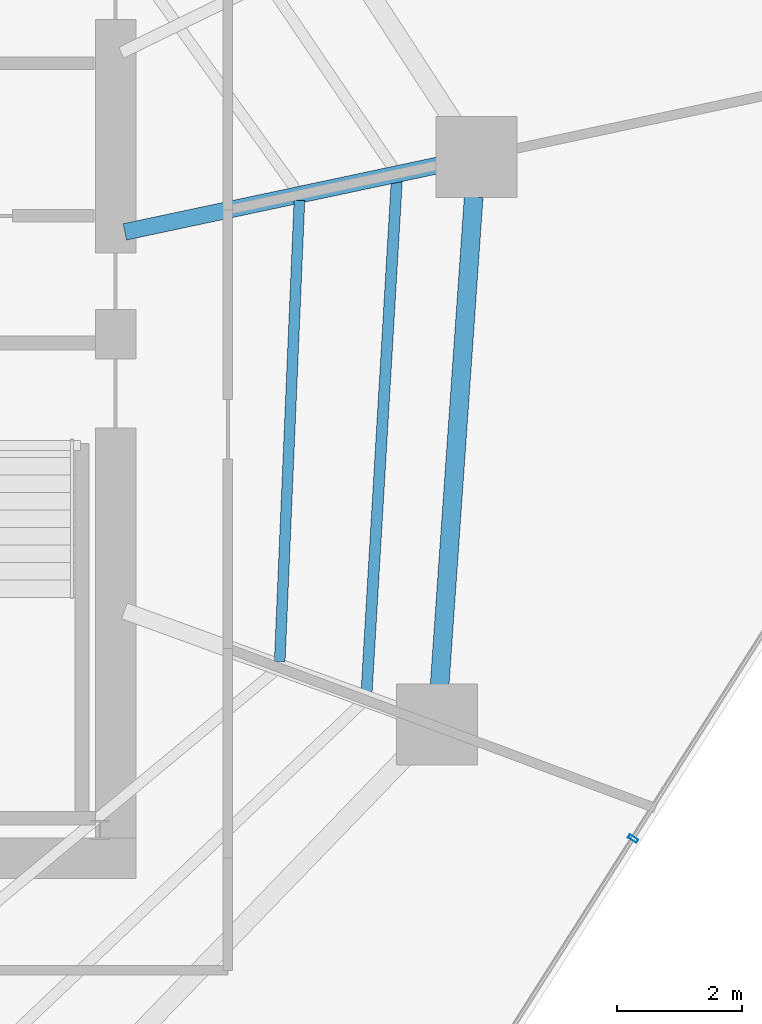
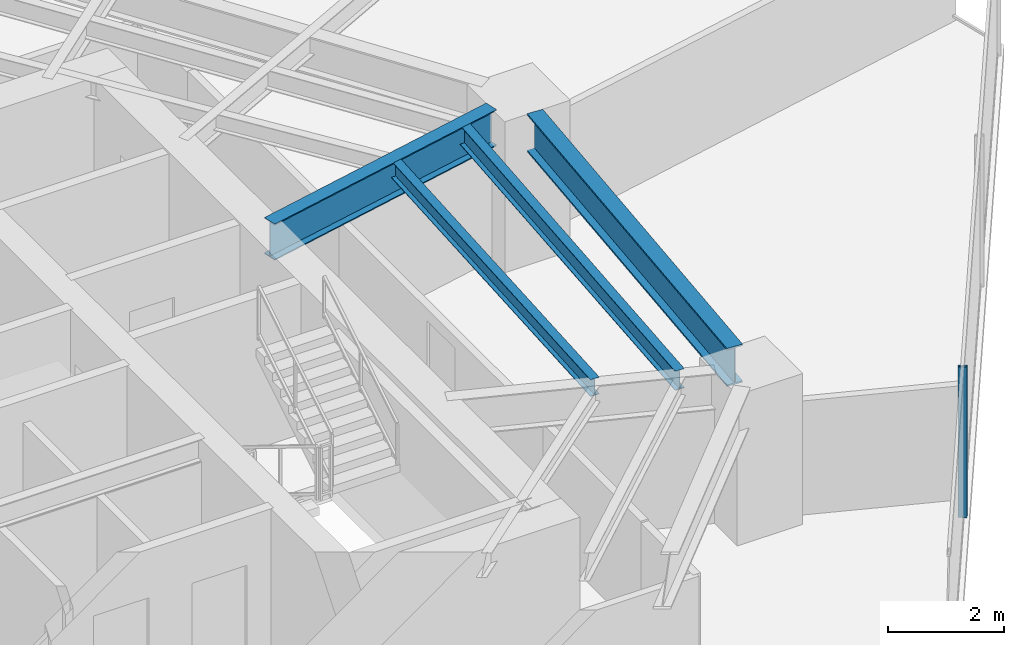
# One storey, part 13 of 30: 4 beams, 1 member, 1 element without a shape of its own.
"""IFC4 building model written with IfcOpenShell, lengths in metres."""

from ifc_helpers import new_model, si_unit, direction, frame, origin, origin_2d, place, context, subcontext, project, spatial, hollow_rectangle, i_section, extrude, material, layer, layer_set, material_profile, profile_set, type_object, element, aggregate, save


model = new_model("IFC4")

# Units and contexts
model_context = context("Model", 3, precision=1e-05, world=origin(), true_north=direction((0.0, 1.0)))
body_context = subcontext(model_context, "Body", "Model", "MODEL_VIEW")
ifc_project = project(units=[si_unit("LENGTHUNIT", "METRE"), si_unit("AREAUNIT", "SQUARE_METRE"), si_unit("VOLUMEUNIT", "CUBIC_METRE"), si_unit("PLANEANGLEUNIT", "RADIAN"), si_unit("MASSUNIT", "GRAM", prefix="KILO")], contexts=[model_context])

# Site, building, storey
site_placement = place(None, origin())
site = spatial("IfcSite", under=ifc_project, at=site_placement, CompositionType="ELEMENT")
building_placement = place(site_placement, origin())
building = spatial("IfcBuilding", under=site, at=building_placement, Name="Qarnah Convention Tower", CompositionType="ELEMENT")
storey_placement = place(building_placement, frame((0.0, 0.0, 58.050048828125)))
storey = spatial("IfcBuildingStorey", under=building, at=storey_placement, Name="L14", CompositionType="ELEMENT", Elevation=58.050048828125)

# Beams
ifc_material_1 = material(Name="Structural steel S355JR", Category="steel")
ifc_material_profile_1 = material_profile(ifc_material_1, i_section(OverallWidth=0.172119140625, OverallDepth=0.35595703125, WebThickness=0.007080078125, FlangeThickness=0.011962890625, at=origin_2d()), Name="W360X51")
ifc_profile_set_1 = profile_set([ifc_material_profile_1], Name="Structural steel S355JR")
beam_type_1 = type_object("IfcBeamType", Name="BM-JST-W360", PredefinedType="JOIST", material=ifc_profile_set_1)
beam_1_placement = place(storey_placement, frame((50.23193359375, 21.7490234375, 2.991943359375), z_axis=(0.042691854151, 0.999088287184, 0.0), x_axis=(-0.999088287184, 0.042691854151, 0.0)))
element("IfcBeam", 1, at=beam_1_placement, inside=storey, type_object=beam_type_1, Name="L14 joist BM-L14-IJST-09", PredefinedType="JOIST", context=body_context, shape_type="SweptSolid", body=[
    extrude(i_section(OverallWidth=0.172119140625, OverallDepth=0.35595703125, WebThickness=0.007080078125, FlangeThickness=0.011962890625, at=origin_2d()), origin(), (0.0, 0.0, 1.0), 7.40576171875),
])
ifc_material_profile_2 = material_profile(ifc_material_1, i_section(OverallWidth=0.177978515625, OverallDepth=0.407958984375, WebThickness=0.008056640625, FlangeThickness=0.012939453125, at=origin_2d()), Name="W410X60")
ifc_profile_set_2 = profile_set([ifc_material_profile_2], Name="Structural steel S355JR")
beam_type_2 = type_object("IfcBeamType", Name="BM-JST-W410", PredefinedType="JOIST", material=ifc_profile_set_2)
beam_2_placement = place(storey_placement, frame((51.6240234375, 21.241943359375, 2.966064453125), z_axis=(0.058902383337, 0.998263747332, 0.0), x_axis=(-0.998263747332, 0.058902383337, 0.0)))
element("IfcBeam", 2, at=beam_2_placement, inside=storey, type_object=beam_type_2, Name="L14 joist BM-L14-SJST-09", PredefinedType="JOIST", context=body_context, shape_type="SweptSolid", body=[
    extrude(i_section(OverallWidth=0.177978515625, OverallDepth=0.407958984375, WebThickness=0.008056640625, FlangeThickness=0.012939453125, at=origin_2d()), origin(), (0.0, 0.0, 1.0), 8.25244140625),
])
ifc_material_profile_3 = material_profile(ifc_material_1, i_section(OverallWidth=0.26806640625, OverallDepth=0.760009765625, WebThickness=0.014892578125, FlangeThickness=0.02197265625, at=origin_2d()), Name="W760X185")
ifc_profile_set_3 = profile_set([ifc_material_profile_3], Name="Structural steel S355JR")
beam_type_3 = type_object("IfcBeamType", Name="BM-RAD-W760", PredefinedType="BEAM", material=ifc_profile_set_3)
beam_3_placement = place(storey_placement, frame((47.7470703125, 28.64208984375, 2.7900390625), z_axis=(0.978155710431, 0.207873534031, 0.0), x_axis=(-0.207873534031, 0.978155710431, 0.0)))
element("IfcBeam", 3, at=beam_3_placement, inside=storey, type_object=beam_type_3, Name="L14 beam BM-L14-RAD-01", PredefinedType="BEAM", context=body_context, shape_type="SweptSolid", body=[
    extrude(i_section(OverallWidth=0.26806640625, OverallDepth=0.760009765625, WebThickness=0.014892578125, FlangeThickness=0.02197265625, at=origin_2d()), origin(), (0.0, 0.0, 1.0), 5.13720703125),
])
ifc_material_profile_4 = material_profile(ifc_material_1, i_section(OverallWidth=0.300048828125, OverallDepth=0.800048828125, WebThickness=0.01806640625, FlangeThickness=0.032958984375, at=origin_2d()), Name="HEB800")
ifc_profile_set_4 = profile_set([ifc_material_profile_4], Name="Structural steel S355JR")
beam_type_4 = type_object("IfcBeamType", Name="BM-RING-HEB800", PredefinedType="BEAM", material=ifc_profile_set_4)
beam_4_placement = place(storey_placement, frame((52.797119140625, 21.3779296875, 2.77001953125), z_axis=(0.069594661237, 0.997575352105, 0.0), x_axis=(-0.997575352105, 0.069594661237, 0.0)))
element("IfcBeam", 4, at=beam_4_placement, inside=storey, type_object=beam_type_4, Name="L14 beam BM-L14-SPN-09", PredefinedType="BEAM", context=body_context, shape_type="SweptSolid", body=[
    extrude(i_section(OverallWidth=0.300048828125, OverallDepth=0.800048828125, WebThickness=0.01806640625, FlangeThickness=0.032958984375, at=origin_2d()), origin(), (0.0, 0.0, 1.0), 7.843994140625),
])

# Curtain wall, member
ifc_material_2 = material(Name="Tempered Low-E dark glass", Category="glass")
ifc_layer = layer(ifc_material_2, 0.16796875)
ifc_layer_set = layer_set([ifc_layer], Name="Tempered Low-E dark glass")
curtain_wall_type = type_object("IfcCurtainWallType", Name="CWS-01", PredefinedType="NOTDEFINED", material=ifc_layer_set)
curtain_wall_placement = place(storey_placement, origin())
curtain_wall = element("IfcCurtainWall", 5, at=curtain_wall_placement, inside=storey, type_object=curtain_wall_type, Name="L14 unitised curtain wall CW-L14-F2", PredefinedType="NOTDEFINED")
ifc_material_3 = material(Name="Black anodised aluminium", Category="aluminium")
ifc_material_profile_5 = material_profile(ifc_material_3, hollow_rectangle(XDim=0.06005859375, YDim=0.159912109375, WallThickness=0.00390625, at=origin_2d()), Name="MUL-60X160")
ifc_profile_set_5 = profile_set([ifc_material_profile_5], Name="Black anodised aluminium")
member_type = type_object("IfcMemberType", Name="MUL-T1", PredefinedType="MULLION", material=ifc_profile_set_5)
member_placement = place(storey_placement, frame((55.89892578125, 18.91162109375, 0.0), z_axis=(0.0, 0.0, 1.0), x_axis=(-0.535844994188, -0.844316375658, 0.0)))
member = element("IfcMember", 6, at=member_placement, type_object=member_type, Name="CW-L14-F2 mullion 3", PredefinedType="MULLION", context=body_context, shape_type="SweptSolid", body=[
    extrude(hollow_rectangle(XDim=0.06005859375, YDim=0.159912109375, WallThickness=0.00390625, at=origin_2d()), origin(), (0.0, 0.0, 1.0), 3.169921875),
])
aggregate(curtain_wall, [member])

save(model, "model.ifc")
